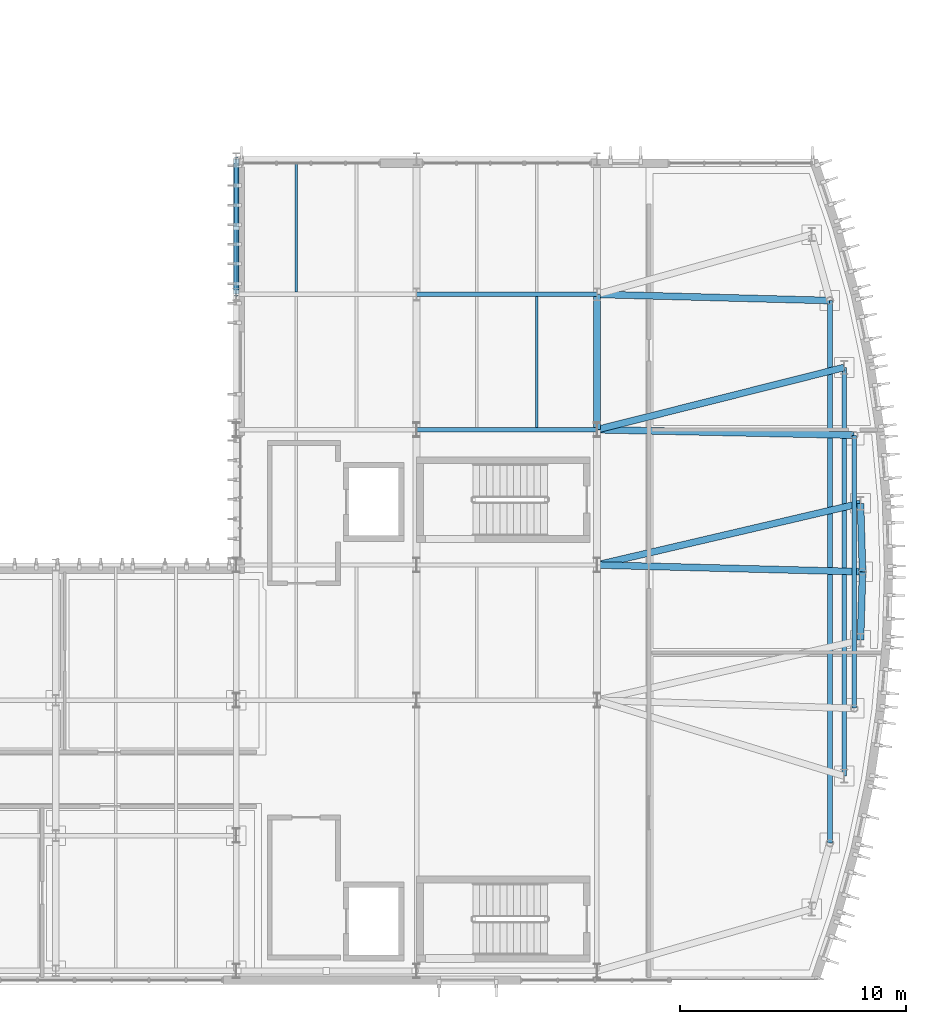
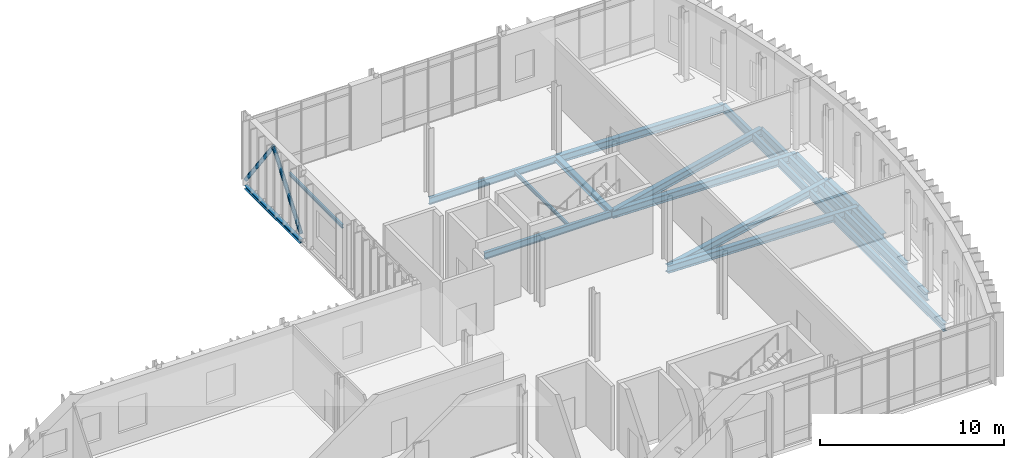
# One storey, part 44 of 100: 16 beams, 2 members.
"""IFC4 building model written with IfcOpenShell, lengths in metres."""

import ifcopenshell
import ifcopenshell.guid

model = None  # the IFC model being written
_history = None  # IfcOwnerHistory: only IFC2X3 demands one
_inside = {}  # id of a spatial element -> (the spatial element, [elements in it])
_under = {}  # id of a project, library or spatial element -> (it, [spatial elements below it])
_declared = {}  # id of a project -> (the project, [libraries it declares])
_typed = {}  # id of a type object -> (the type object, [elements of that type])
_made_of = {}  # id of a material, layer set ... -> (it, [elements and type objects made of it])


def new_model(schema):
    """Start an empty IFC model of exactly this schema.

    Asked for "IFC4X3", IfcOpenShell would pick the latest addendum, in which some entities
    have other attributes; the version numbers below select the first issue.
    IFC2X3 requires an IfcOwnerHistory on every rooted entity: one is made here for all.
    """
    global model, _history
    if schema == "IFC4X3":
        model = ifcopenshell.file(schema_version=(4, 3, 0, 0))
    else:
        model = ifcopenshell.file(schema=schema)
    _inside.clear()
    _under.clear()
    _declared.clear()
    _typed.clear()
    _made_of.clear()
    _history = None
    if model.schema == "IFC2X3":
        org = make("IfcOrganization", Name="unknown")
        user = make(
            "IfcPersonAndOrganization",
            ThePerson=make("IfcPerson", FamilyName="unknown"),
            TheOrganization=org,
        )
        app = make(
            "IfcApplication",
            ApplicationDeveloper=org,
            Version="unknown",
            ApplicationFullName="unknown",
            ApplicationIdentifier="unknown",
        )
        _history = make(
            "IfcOwnerHistory",
            OwningUser=user,
            OwningApplication=app,
            ChangeAction="ADDED",
            CreationDate=0,
        )
    return model


def make(cls, **values):
    """One entity of the class cls with the attributes given. An attribute that is None is left unset."""
    return model.create_entity(
        cls, **{name: value for name, value in values.items() if value is not None}
    )


def rooted(cls, **values):
    """An entity with a GlobalId (a new one), such as an element, a storey or a relation."""
    return make(cls, GlobalId=ifcopenshell.guid.new(), OwnerHistory=_history, **values)


def si_unit(unit_type, name, prefix=None):
    """IfcSIUnit, for example si_unit("LENGTHUNIT", "METRE", prefix="MILLI")."""
    return make("IfcSIUnit", UnitType=unit_type, Prefix=prefix, Name=name)


def assignment(units):
    """IfcUnitAssignment: the units of a project."""
    return None if units is None else make("IfcUnitAssignment", Units=units)


def point(xyz):
    """IfcCartesianPoint."""
    return None if xyz is None else make("IfcCartesianPoint", Coordinates=xyz)


def direction(xyz):
    """IfcDirection."""
    return None if xyz is None else make("IfcDirection", DirectionRatios=xyz)


def frame(location, z_axis=None, x_axis=None):
    """IfcAxis2Placement3D, a coordinate frame: its origin and axes. An axis left out is left unset."""
    return make(
        "IfcAxis2Placement3D",
        Location=point(location),
        Axis=direction(z_axis),
        RefDirection=direction(x_axis),
    )


def frame_2d(location, x_axis=None):
    """IfcAxis2Placement2D, a coordinate frame in the plane: its origin and x axis."""
    return make(
        "IfcAxis2Placement2D", Location=point(location), RefDirection=direction(x_axis)
    )


def origin():
    """The frame at (0, 0, 0) with its axes left unset."""
    return frame((0.0, 0.0, 0.0))


def origin_2d():
    """The frame at (0, 0) in the plane with its x axis left unset."""
    return frame_2d((0.0, 0.0))


def place(relative_to, where):
    """IfcLocalPlacement: puts the frame where relative to a parent placement (None: the world)."""
    return make(
        "IfcLocalPlacement", PlacementRelTo=relative_to, RelativePlacement=where
    )


def context(
    kind, dimensions, precision=None, world=None, true_north=None, identifier=None
):
    """IfcGeometricRepresentationContext, for example the 3D "Model" context."""
    return make(
        "IfcGeometricRepresentationContext",
        ContextIdentifier=identifier,
        ContextType=kind,
        CoordinateSpaceDimension=dimensions,
        Precision=precision,
        WorldCoordinateSystem=world,
        TrueNorth=true_north,
    )


def subcontext(parent, identifier, kind, view, scale=None):
    """IfcGeometricRepresentationSubContext, for example "Body" below "Model"."""
    return make(
        "IfcGeometricRepresentationSubContext",
        ContextIdentifier=identifier,
        ContextType=kind,
        ParentContext=parent,
        TargetScale=scale,
        TargetView=view,
    )


def project(units=None, contexts=None):
    """IfcProject with its units and contexts."""
    return rooted(
        "IfcProject",
        Name="project",
        RepresentationContexts=contexts,
        UnitsInContext=assignment(units),
    )


def spatial(cls, under=None, at=None, **own):
    """A site, building, storey or space (cls), placed at a placement, below another one or the project."""
    s = rooted(cls, ObjectPlacement=at, **own)
    if under is not None:
        _under.setdefault(under.id(), (under, []))[1].append(s)
    return s


def profile(cls, at=None, kind="AREA", **sizes):
    """A parametric profile (cls). Its sizes go by their IFC names, for example OverallWidth=200.0."""
    return make(cls, ProfileType=kind, Position=at, **sizes)


def hollow_circle(**sizes):
    """IfcCircleHollowProfileDef."""
    return profile("IfcCircleHollowProfileDef", **sizes)


def i_section(**sizes):
    """IfcIShapeProfileDef."""
    return profile("IfcIShapeProfileDef", **sizes)


def extrude(swept, where, along, depth):
    """IfcExtrudedAreaSolid: the profile swept, set in the frame where, extruded along a direction by depth."""
    return make(
        "IfcExtrudedAreaSolid",
        SweptArea=swept,
        Position=where,
        ExtrudedDirection=direction(along),
        Depth=depth,
    )


def shape(context_of_items, identifier, shape_type, items):
    """IfcShapeRepresentation: the items that make up one representation, for example the "Body"."""
    return make(
        "IfcShapeRepresentation",
        ContextOfItems=context_of_items,
        RepresentationIdentifier=identifier,
        RepresentationType=shape_type,
        Items=items,
    )


def material(Name=None, Category=None):
    """IfcMaterial."""
    return make("IfcMaterial", Name=Name, Category=Category)


def material_profile(
    of_material, cross_section, Name=None, Category=None, Priority=None
):
    """IfcMaterialProfile: a cross section and its material."""
    return make(
        "IfcMaterialProfile",
        Name=Name,
        Material=of_material,
        Profile=cross_section,
        Priority=Priority,
        Category=Category,
    )


def profile_set(profiles, Name=None, composite=None):
    """IfcMaterialProfileSet."""
    return make(
        "IfcMaterialProfileSet",
        Name=Name,
        MaterialProfiles=profiles,
        CompositeProfile=composite,
    )


def made_of(thing, what):
    """Note that an element or type object is made of a material, layer set ...; save() writes the relation."""
    if what is not None:
        _made_of.setdefault(what.id(), (what, []))[1].append(thing)
    return thing


def type_object(cls, material=None, **own):
    """A type object (cls), such as IfcWallType, which elements share."""
    return made_of(rooted(cls, **own), material)


def element(
    cls,
    number,
    at=None,
    inside=None,
    cuts=None,
    type_object=None,
    material=None,
    context=None,
    identifier="Body",
    shape_type=None,
    held_by="IfcProductDefinitionShape",
    body=None,
    shapes=None,
    **own,
):
    """One element of the class cls, such as IfcWall. Its Tag is "e" and its number.

    at: its placement. inside: the storey or other place that contains it. cuts: it is an
    opening in that element (IfcRelVoidsElement). A single representation is given by context,
    identifier, shape_type and body (its items); several are given by shapes. held_by: the class
    of the entity that holds the representations. save() writes the other relations.
    """
    e = rooted(cls, Tag="e%d" % number, ObjectPlacement=at, **own)
    if body is not None:
        shapes = [shape(context, identifier, shape_type, body)]
    if shapes is not None:
        e.Representation = make(held_by, Representations=shapes)
    if inside is not None:
        _inside.setdefault(inside.id(), (inside, []))[1].append(e)
    if cuts is not None:
        rooted(
            "IfcRelVoidsElement", RelatingBuildingElement=cuts, RelatedOpeningElement=e
        )
    if type_object is not None:
        _typed.setdefault(type_object.id(), (type_object, []))[1].append(e)
    return made_of(e, material)


def aggregate(whole, parts):
    """IfcRelAggregates: a whole, such as a stair, and the parts it consists of."""
    return rooted("IfcRelAggregates", RelatingObject=whole, RelatedObjects=parts)


def save(model, path):
    """Write the relations noted so far, then the file.

    IfcRelAggregates (storeys below a building ...), IfcRelContainedInSpatialStructure (elements
    in a storey), IfcRelDefinesByType, IfcRelAssociatesMaterial and IfcRelDeclares: one each for
    every whole, place, type object, material and project.
    """
    for whole, parts in _under.values():
        aggregate(whole, parts)
    for where, things in _inside.values():
        rooted(
            "IfcRelContainedInSpatialStructure",
            RelatedElements=things,
            RelatingStructure=where,
        )
    for kind, things in _typed.values():
        rooted("IfcRelDefinesByType", RelatedObjects=things, RelatingType=kind)
    for what, things in _made_of.values():
        rooted("IfcRelAssociatesMaterial", RelatedObjects=things, RelatingMaterial=what)
    for by, libraries in _declared.values():
        rooted("IfcRelDeclares", RelatingContext=by, RelatedDefinitions=libraries)
    model.write(path)


model = new_model("IFC4")

# Units and contexts
model_context = context("Model", 3, precision=1e-05, world=origin(), true_north=direction((0.0, 1.0)))
body_context = subcontext(model_context, "Body", "Model", "MODEL_VIEW")
ifc_project = project(units=[si_unit("LENGTHUNIT", "METRE"), si_unit("AREAUNIT", "SQUARE_METRE"), si_unit("VOLUMEUNIT", "CUBIC_METRE"), si_unit("PLANEANGLEUNIT", "RADIAN"), si_unit("MASSUNIT", "GRAM", prefix="KILO")], contexts=[model_context])

# Site, building, storey
site_placement = place(None, origin())
site = spatial("IfcSite", under=ifc_project, at=site_placement, CompositionType="ELEMENT")
building_placement = place(site_placement, origin())
building = spatial("IfcBuilding", under=site, at=building_placement, Name="Cymarion Research Institute", CompositionType="ELEMENT")
storey_placement = place(building_placement, frame((0.0, 0.0, 4.800048828125)))
storey = spatial("IfcBuildingStorey", under=building, at=storey_placement, Name="L01", CompositionType="ELEMENT", Elevation=4.800048828125)

# Beams
ifc_material = material(Name="Steel S355", Category="steel")
ifc_material_profile_1 = material_profile(ifc_material, i_section(OverallWidth=0.2099609375, OverallDepth=0.550048828125, WebThickness=0.010986328125, FlangeThickness=0.01708984375, FilletRadius=0.02392578125, at=origin_2d()), Name="IPE 550")
ifc_profile_set_1 = profile_set([ifc_material_profile_1], Name="Steel S355")
beam_type_1 = type_object("IfcBeamType", Name="PRIMARY GIRDER BM02 IPE 550", PredefinedType="BEAM", material=ifc_profile_set_1)
beam_1_placement = place(storey_placement, frame((164.929931640625, 11.1787109375, -0.525146484375), z_axis=(0.0, 1.0, 0.0), x_axis=(-1.0, 0.0, 0.0)))
element("IfcBeam", 1, at=beam_1_placement, inside=storey, type_object=beam_type_1, Name="L01 V1 girder BM02 #404", PredefinedType="BEAM", context=body_context, shape_type="SweptSolid", body=[
    extrude(i_section(OverallWidth=0.2099609375, OverallDepth=0.550048828125, WebThickness=0.010986328125, FlangeThickness=0.01708984375, FilletRadius=0.02392578125, at=origin_2d()), origin(), (0.0, 0.0, 1.0), 24.04248046875),
])
beam_2_placement = place(storey_placement, frame((165.56005859375, 14.1474609375, -0.525146484375), z_axis=(0.0, 1.0, 0.0), x_axis=(-1.0, 0.0, 0.0)))
element("IfcBeam", 2, at=beam_2_placement, inside=storey, type_object=beam_type_1, Name="L01 V1 girder BM02 #405", PredefinedType="BEAM", context=body_context, shape_type="SweptSolid", body=[
    extrude(i_section(OverallWidth=0.2099609375, OverallDepth=0.550048828125, WebThickness=0.010986328125, FlangeThickness=0.01708984375, FilletRadius=0.02392578125, at=origin_2d()), origin(), (0.0, 0.0, 1.0), 18.10498046875),
])
beam_3_placement = place(storey_placement, frame((166.010009765625, 17.148681640625, -0.525146484375), z_axis=(0.0, 1.0, 0.0), x_axis=(-1.0, 0.0, 0.0)))
element("IfcBeam", 3, at=beam_3_placement, inside=storey, type_object=beam_type_1, Name="L01 V1 girder BM02 #406", PredefinedType="BEAM", context=body_context, shape_type="SweptSolid", body=[
    extrude(i_section(OverallWidth=0.2099609375, OverallDepth=0.550048828125, WebThickness=0.010986328125, FlangeThickness=0.01708984375, FilletRadius=0.02392578125, at=origin_2d()), origin(), (0.0, 0.0, 1.0), 12.1025390625),
])
ifc_material_profile_2 = material_profile(ifc_material, i_section(OverallWidth=0.18994140625, OverallDepth=0.449951171875, WebThickness=0.009521484375, FlangeThickness=0.0146484375, FilletRadius=0.02099609375, at=origin_2d()), Name="IPE 450")
ifc_profile_set_2 = profile_set([ifc_material_profile_2], Name="Steel S355")
beam_type_2 = type_object("IfcBeamType", Name="PRIMARY GIRDER BM04 IPE 450", PredefinedType="BEAM", material=ifc_profile_set_2)
for number, where, z_axis, x_axis, name in (
    (4, (146.60595703125, 29.5, -0.47509765625), (1.0, 0.0, 0.0), (0.0, 1.0, 0.0), "L01 V1 girder BM04 #371"),
    (5, (146.60595703125, 35.5, -0.47509765625), (1.0, 0.0, 0.0), (0.0, 1.0, 0.0), "L01 V1 girder BM04 #373"),
):
    element("IfcBeam", number, at=place(storey_placement, frame(where, z_axis=z_axis, x_axis=x_axis)), inside=storey, type_object=beam_type_2, Name=name, PredefinedType="BEAM", context=body_context, shape_type="SweptSolid", body=[
        extrude(i_section(OverallWidth=0.18994140625, OverallDepth=0.449951171875, WebThickness=0.009521484375, FlangeThickness=0.0146484375, FilletRadius=0.02099609375, at=origin_2d()), origin(), (0.0, 0.0, 1.0), 7.988037109375),
    ])
ifc_material_profile_3 = material_profile(ifc_material, i_section(OverallWidth=0.300048828125, OverallDepth=0.5, WebThickness=0.014404296875, FlangeThickness=0.028076171875, FilletRadius=0.027099609375, at=origin_2d()), Name="HEB 500")
ifc_profile_set_3 = profile_set([ifc_material_profile_3], Name="Steel S355")
beam_type_3 = type_object("IfcBeamType", Name="PRIMARY GIRDER BM09 HEB 500", PredefinedType="BEAM", material=ifc_profile_set_3)
beam_4_placement = place(storey_placement, frame((154.60791015625, 23.499755859375, -0.5), z_axis=(0.999675752574, -0.025463497715, 0.0), x_axis=(0.025463497715, 0.999675752574, 0.0)))
element("IfcBeam", 6, at=beam_4_placement, inside=storey, type_object=beam_type_3, Name="L01 V1 radial prow girder BM09 #415", PredefinedType="BEAM", context=body_context, shape_type="SweptSolid", body=[
    extrude(i_section(OverallWidth=0.300048828125, OverallDepth=0.5, WebThickness=0.014404296875, FlangeThickness=0.028076171875, FilletRadius=0.027099609375, at=origin_2d()), origin(), (0.0, 0.0, 1.0), 11.764404296875),
])
beam_5_placement = place(storey_placement, frame((154.60791015625, 23.501708984375, -0.5), z_axis=(0.973701737176, 0.22782652835, 0.0), x_axis=(-0.22782652835, 0.973701737176, 0.0)))
element("IfcBeam", 7, at=beam_5_placement, inside=storey, type_object=beam_type_3, Name="L01 V1 radial prow girder BM09 #416", PredefinedType="BEAM", context=body_context, shape_type="SweptSolid", body=[
    extrude(i_section(OverallWidth=0.300048828125, OverallDepth=0.5, WebThickness=0.014404296875, FlangeThickness=0.028076171875, FilletRadius=0.027099609375, at=origin_2d()), origin(), (0.0, 0.0, 1.0), 11.98486328125),
])
beam_6_placement = place(storey_placement, frame((154.60791015625, 29.499755859375, -0.5), z_axis=(0.999773836643, -0.021266771342, 0.0), x_axis=(0.021266771342, 0.999773836643, 0.0)))
element("IfcBeam", 8, at=beam_6_placement, inside=storey, type_object=beam_type_3, Name="L01 V1 radial prow girder BM09 #417", PredefinedType="BEAM", context=body_context, shape_type="SweptSolid", body=[
    extrude(i_section(OverallWidth=0.300048828125, OverallDepth=0.5, WebThickness=0.014404296875, FlangeThickness=0.028076171875, FilletRadius=0.027099609375, at=origin_2d()), origin(), (0.0, 0.0, 1.0), 11.399658203125),
])
beam_7_placement = place(storey_placement, frame((154.60791015625, 29.501953125, -0.5), z_axis=(0.969753132193, 0.244087817399, 0.0), x_axis=(-0.244087817399, 0.969753132193, 0.0)))
element("IfcBeam", 9, at=beam_7_placement, inside=storey, type_object=beam_type_3, Name="L01 V1 radial prow girder BM09 #418", PredefinedType="BEAM", context=body_context, shape_type="SweptSolid", body=[
    extrude(i_section(OverallWidth=0.300048828125, OverallDepth=0.5, WebThickness=0.014404296875, FlangeThickness=0.028076171875, FilletRadius=0.027099609375, at=origin_2d()), origin(), (0.0, 0.0, 1.0), 11.285400390625),
])
beam_8_placement = place(storey_placement, frame((154.60791015625, 35.499755859375, -0.5), z_axis=(0.999651753998, -0.026388837201, 0.0), x_axis=(0.026388837201, 0.999651753998, 0.0)))
element("IfcBeam", 10, at=beam_8_placement, inside=storey, type_object=beam_type_3, Name="L01 V1 radial prow girder BM09 #419", PredefinedType="BEAM", context=body_context, shape_type="SweptSolid", body=[
    extrude(i_section(OverallWidth=0.300048828125, OverallDepth=0.5, WebThickness=0.014404296875, FlangeThickness=0.028076171875, FilletRadius=0.027099609375, at=origin_2d()), origin(), (0.0, 0.0, 1.0), 10.315673828125),
])
ifc_material_profile_4 = material_profile(ifc_material, i_section(OverallWidth=0.300048828125, OverallDepth=0.449951171875, WebThickness=0.013916015625, FlangeThickness=0.02587890625, FilletRadius=0.027099609375, at=origin_2d()), Name="HEB 450")
ifc_profile_set_4 = profile_set([ifc_material_profile_4], Name="Steel S355")
beam_type_4 = type_object("IfcBeamType", Name="PRIMARY GIRDER BM10 HEB 450", PredefinedType="BEAM", material=ifc_profile_set_4)
beam_9_placement = place(storey_placement, frame((166.28564453125, 20.174072265625, -0.47509765625), z_axis=(0.030000243484, 0.999549891397, 0.0), x_axis=(-0.999549891397, 0.030000243484, 0.0)))
element("IfcBeam", 11, at=beam_9_placement, inside=storey, type_object=beam_type_4, Name="L01 V1 prow ring girder BM10 #408", PredefinedType="BEAM", context=body_context, shape_type="SweptSolid", body=[
    extrude(i_section(OverallWidth=0.300048828125, OverallDepth=0.449951171875, WebThickness=0.013916015625, FlangeThickness=0.02587890625, FilletRadius=0.027099609375, at=origin_2d()), origin(), (0.0, 0.0, 1.0), 3.019287109375),
])
beam_10_placement = place(storey_placement, frame((166.376220703125, 23.2080078125, -0.47509765625), z_axis=(-0.029997818857, 0.999549964166, 0.0), x_axis=(-0.999549964166, -0.029997818857, 0.0)))
element("IfcBeam", 12, at=beam_10_placement, inside=storey, type_object=beam_type_4, Name="L01 V1 prow ring girder BM10 #409", PredefinedType="BEAM", context=body_context, shape_type="SweptSolid", body=[
    extrude(i_section(OverallWidth=0.300048828125, OverallDepth=0.449951171875, WebThickness=0.013916015625, FlangeThickness=0.02587890625, FilletRadius=0.027099609375, at=origin_2d()), origin(), (0.0, 0.0, 1.0), 3.01953125),
])
ifc_material_profile_5 = material_profile(ifc_material, i_section(OverallWidth=0.300048828125, OverallDepth=0.35009765625, WebThickness=0.010009765625, FlangeThickness=0.017578125, FilletRadius=0.027099609375, at=origin_2d()), Name="HEA 360")
ifc_profile_set_5 = profile_set([ifc_material_profile_5], Name="Steel S355")
beam_type_5 = type_object("IfcBeamType", Name="PRIMARY GIRDER BM12 HEA 360", PredefinedType="BEAM", material=ifc_profile_set_5)
beam_11_placement = place(storey_placement, frame((154.60009765625, 29.506103515625, -0.425048828125), z_axis=(0.0, 1.0, 0.0), x_axis=(-1.0, 0.0, 0.0)))
element("IfcBeam", 13, at=beam_11_placement, inside=storey, type_object=beam_type_5, Name="L01 V1 girder BM12 #402", PredefinedType="BEAM", context=body_context, shape_type="SweptSolid", body=[
    extrude(i_section(OverallWidth=0.300048828125, OverallDepth=0.35009765625, WebThickness=0.010009765625, FlangeThickness=0.017578125, FilletRadius=0.027099609375, at=origin_2d()), origin(), (0.0, 0.0, 1.0), 5.98779296875),
])
ifc_material_profile_6 = material_profile(ifc_material, i_section(OverallWidth=0.1201171875, OverallDepth=0.239990234375, WebThickness=0.006103515625, FlangeThickness=0.009765625, FilletRadius=0.014892578125, at=origin_2d()), Name="IPE 240")
ifc_profile_set_6 = profile_set([ifc_material_profile_6], Name="Steel S355")
beam_type_6 = type_object("IfcBeamType", Name="SECONDARY JOIST JS04 IPE 240", PredefinedType="JOIST", material=ifc_profile_set_6)
beam_12_placement = place(storey_placement, frame((151.933349609375, 29.59912109375, -0.3701171875), z_axis=(0.0, 1.0, 0.0), x_axis=(-1.0, 0.0, 0.0)))
element("IfcBeam", 14, at=beam_12_placement, inside=storey, type_object=beam_type_6, Name="L01 V1 secondary joist JS04 #453", PredefinedType="JOIST", context=body_context, shape_type="SweptSolid", body=[
    extrude(i_section(OverallWidth=0.1201171875, OverallDepth=0.239990234375, WebThickness=0.006103515625, FlangeThickness=0.009765625, FilletRadius=0.014892578125, at=origin_2d()), origin(), (0.0, 0.0, 1.0), 5.8017578125),
])
beam_13_placement = place(storey_placement, frame((141.2666015625, 35.59912109375, -0.3701171875), z_axis=(0.0, 1.0, 0.0), x_axis=(-1.0, 0.0, 0.0)))
element("IfcBeam", 15, at=beam_13_placement, inside=storey, type_object=beam_type_6, Name="L01 V1 secondary joist JS04 #454", PredefinedType="JOIST", context=body_context, shape_type="SweptSolid", body=[
    extrude(i_section(OverallWidth=0.1201171875, OverallDepth=0.239990234375, WebThickness=0.006103515625, FlangeThickness=0.009765625, FilletRadius=0.014892578125, at=origin_2d()), origin(), (0.0, 0.0, 1.0), 5.77685546875),
])
ifc_material_profile_7 = material_profile(ifc_material, i_section(OverallWidth=0.239990234375, OverallDepth=0.22998046875, WebThickness=0.007568359375, FlangeThickness=0.011962890625, FilletRadius=0.02099609375, at=origin_2d()), Name="HEA 240")
ifc_profile_set_7 = profile_set([ifc_material_profile_7], Name="Steel S355")
beam_type_7 = type_object("IfcBeamType", Name="SPANDREL BEAM SPB03 HEA 240", PredefinedType="SPANDREL", material=ifc_profile_set_7)
beam_14_placement = place(storey_placement, frame((138.60009765625, 35.506103515625, -0.364990234375), z_axis=(0.0, 1.0, 0.0), x_axis=(-1.0, 0.0, 0.0)))
element("IfcBeam", 16, at=beam_14_placement, inside=storey, type_object=beam_type_7, Name="L01 V1 girder SPB03 #393", PredefinedType="SPANDREL", context=body_context, shape_type="SweptSolid", body=[
    extrude(i_section(OverallWidth=0.239990234375, OverallDepth=0.22998046875, WebThickness=0.007568359375, FlangeThickness=0.011962890625, FilletRadius=0.02099609375, at=origin_2d()), origin(), (0.0, 0.0, 1.0), 5.98779296875),
])

# Members
ifc_material_profile_8 = material_profile(ifc_material, hollow_circle(Radius=0.122314453125, WallThickness=0.012451171875, at=origin_2d()), Name="CHS 244.5x12.5")
ifc_profile_set_8 = profile_set([ifc_material_profile_8], Name="Steel S355")
member_type = type_object("IfcMemberType", Name="STRUCTURAL MEMBER BR03 CHS 244.5x12.5", PredefinedType="BRACE", material=ifc_profile_set_8)
for number, where, z_axis, x_axis, name in (
    (17, (138.60009765625, 35.511962890625, 0.119873046875), (0.0, 0.59864246265, 0.801016355583), (-1.0, 0.0, 0.0), "L01 V1 seismic chevron brace BR03 #1"),
    (18, (138.60009765625, 41.488037109375, 0.119873046875), (0.0, -0.59864246265, 0.801016355583), (1.0, 0.0, 0.0), "L01 V1 seismic chevron brace BR03 #2"),
):
    element("IfcMember", number, at=place(storey_placement, frame(where, z_axis=z_axis, x_axis=x_axis)), inside=storey, type_object=member_type, Name=name, PredefinedType="BRACE", context=body_context, shape_type="SweptSolid", body=[
        extrude(hollow_circle(Radius=0.122314453125, WallThickness=0.012451171875, at=origin_2d()), origin(), (0.0, 0.0, 1.0), 4.981201171875),
    ])

save(model, "model.ifc")
